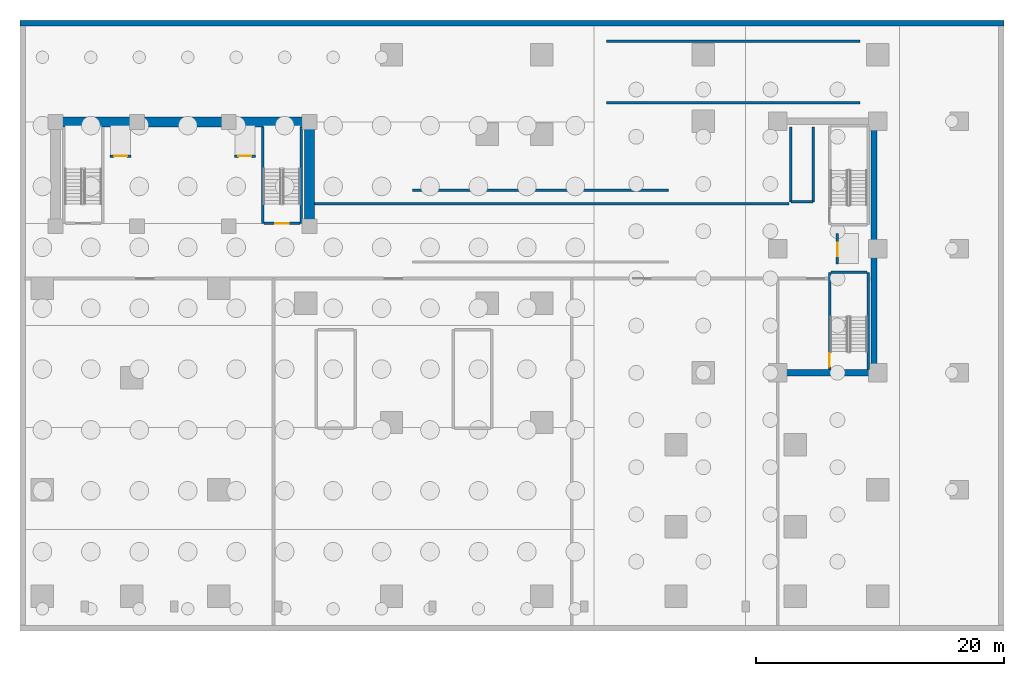
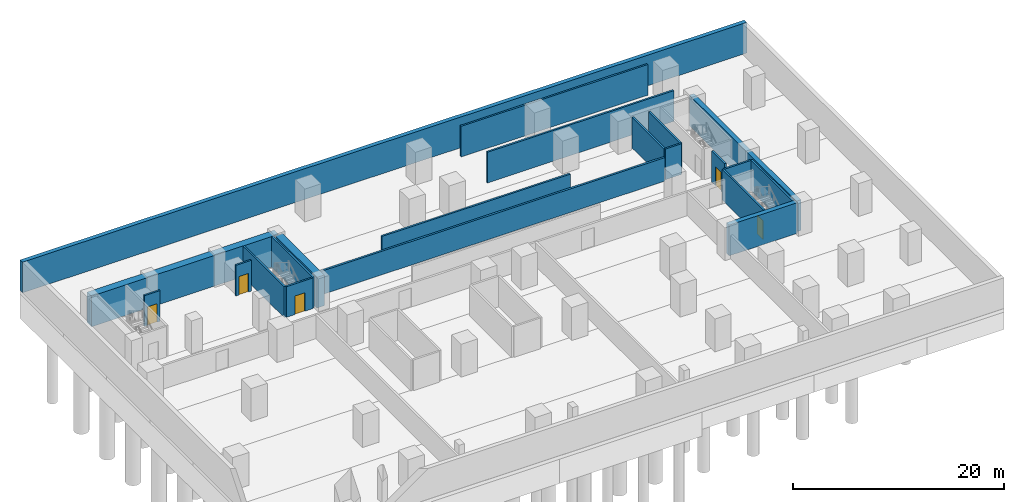
# One storey, part 3 of 7: 21 walls, 5 doors, 5 openings.
"""IFC4 building model written with IfcOpenShell, lengths in metres."""

from ifc_helpers import new_model, si_unit, direction, frame, frame_2d, origin, place, context, subcontext, project, spatial, rectangle, extrude, material, layer, layer_set, type_object, element, fill, save


model = new_model("IFC4")

# Units and contexts
model_context = context("Model", 3, precision=1e-05, world=origin(), true_north=direction((0.0, 1.0)))
body_context = subcontext(model_context, "Body", "Model", "MODEL_VIEW")
ifc_project = project(units=[si_unit("LENGTHUNIT", "METRE"), si_unit("AREAUNIT", "SQUARE_METRE"), si_unit("VOLUMEUNIT", "CUBIC_METRE"), si_unit("PLANEANGLEUNIT", "RADIAN"), si_unit("MASSUNIT", "GRAM", prefix="KILO")], contexts=[model_context])

# Site, building, storey
site_placement = place(None, origin())
site = spatial("IfcSite", under=ifc_project, at=site_placement, CompositionType="ELEMENT")
building_placement = place(site_placement, origin())
building = spatial("IfcBuilding", under=site, at=building_placement, Name="Kuzgunbayir Cultural Tower", CompositionType="ELEMENT")
storey_placement = place(building_placement, frame((0.0, 0.0, -11.39990234375)))
storey = spatial("IfcBuildingStorey", under=building, at=storey_placement, Name="B03", CompositionType="ELEMENT", Elevation=-11.39990234375)

# Walls
ifc_material_1 = material(Name="Concrete C60/75", Category="concrete")
ifc_layer_1 = layer(ifc_material_1, 0.800048828125)
ifc_layer_set_1 = layer_set([ifc_layer_1], Name="Concrete C60/75")
wall_type_1 = type_object("IfcWallType", Name="WAL-CORE-800", PredefinedType="SHEAR", material=ifc_layer_set_1)
wall_1_placement = place(storey_placement, frame((6.449951171875, 42.199951171875, 0.0), z_axis=(0.0, 0.0, 1.0), x_axis=(1.0, 0.0, 0.0)))
element("IfcWall", 1, at=wall_1_placement, inside=storey, type_object=wall_type_1, Name="B03 T1 Core North Shear Wall", PredefinedType="SHEAR", context=body_context, shape_type="SweptSolid", body=[
    extrude(rectangle(XDim=20.449951171875, YDim=0.800048828125, at=frame_2d((10.22509765625, 0.0))), origin(), (0.0, 0.0, 1.0), 3.5498046875),
])
wall_2_placement = place(storey_placement, frame((26.89990234375, 33.800048828125, 0.0), z_axis=(0.0, 0.0, 1.0), x_axis=(0.0, 1.0, 0.0)))
element("IfcWall", 2, at=wall_2_placement, inside=storey, type_object=wall_type_1, Name="B03 T1 Core East Shear Wall", PredefinedType="SHEAR", context=body_context, shape_type="SweptSolid", body=[
    extrude(rectangle(XDim=7.949951171875, YDim=0.800048828125, at=frame_2d((3.97509765625, 0.0))), origin(), (0.0, 0.0, 1.0), 3.5498046875),
])
ifc_material_2 = material(Name="Concrete C40/50", Category="concrete")
ifc_layer_2 = layer(ifc_material_2, 0.449951171875)
ifc_layer_set_2 = layer_set([ifc_layer_2], Name="Concrete C40/50")
wall_type_2 = type_object("IfcWallType", Name="WAL-EXT-BSM-450", PredefinedType="SOLIDWALL", material=ifc_layer_set_2)
wall_3_placement = place(storey_placement, frame((82.800048828125, 50.14990234375, 0.0), z_axis=(0.0, 0.0, 1.0), x_axis=(-1.0, 0.0, 0.0)))
element("IfcWall", 3, at=wall_3_placement, inside=storey, type_object=wall_type_2, Name="B03 North Retaining Wall", PredefinedType="SOLIDWALL", context=body_context, shape_type="SweptSolid", body=[
    extrude(rectangle(XDim=79.199951171875, YDim=0.449951171875, at=frame_2d((39.60009765625, 0.0))), origin(), (0.0, 0.0, 1.0), 3.5498046875),
])
ifc_layer_3 = layer(ifc_material_2, 0.219970703125)
ifc_layer_set_3 = layer_set([ifc_layer_3], Name="Concrete C40/50")
wall_type_3 = type_object("IfcWallType", Name="WAL-PART-PLANT-200", PredefinedType="PARTITIONING", material=ifc_layer_set_3)
wall_4_placement = place(storey_placement, frame((27.10009765625, 35.60009765625, 0.0), z_axis=(0.0, 0.0, 1.0), x_axis=(1.0, 0.0, 0.0)))
element("IfcWall", 4, at=wall_4_placement, inside=storey, type_object=wall_type_3, Name="B03 Substructure Plant Corridor Wall North", PredefinedType="PARTITIONING", context=body_context, shape_type="SweptSolid", body=[
    extrude(rectangle(XDim=38.39990234375, YDim=0.219970703125, at=frame_2d((19.199951171875, 0.0))), origin(), (0.0, 0.0, 1.0), 2.719970703125),
])

# Wall, opening, door
ifc_layer_4 = layer(ifc_material_2, 0.199951171875)
ifc_layer_set_4 = layer_set([ifc_layer_4], Name="Concrete C40/50")
wall_type_4 = type_object("IfcWallType", Name="WAL-SHAFT-200", PredefinedType="MOVABLE", material=ifc_layer_set_4)
wall_5_placement = place(storey_placement, frame((10.85009765625, 39.449951171875, 0.0), z_axis=(0.0, 0.0, 1.0), x_axis=(1.0, 0.0, 0.0)))
wall_5 = element("IfcWall", 5, at=wall_5_placement, inside=storey, type_object=wall_type_4, Name="B03 FFL-1 Lift Front Wall", PredefinedType="MOVABLE", context=body_context, shape_type="SweptSolid", body=[
    extrude(rectangle(XDim=1.699951171875, YDim=0.199951171875, at=frame_2d((0.85009765625, 0.0))), origin(), (0.0, 0.0, 1.0), 3.5498046875),
])
opening_1_placement = place(wall_5_placement, frame((0.320068359375, 0.0, 0.0)))
opening_1 = element("IfcOpeningElement", 6, at=opening_1_placement, cuts=wall_5, Name="Opening LD", PredefinedType="OPENING", context=body_context, shape_type="SweptSolid", body=[
    extrude(rectangle(XDim=1.050048828125, YDim=2.14990234375, at=frame_2d((0.52490234375, 1.074951171875))), frame((0.0, 0.10986328125, 0.0), z_axis=(0.0, -1.0, 0.0), x_axis=(1.0, 0.0, 0.0)), (0.0, 0.0, 1.0), 0.219970703125),
])
ifc_material_3 = material(Name="Brushed Stainless Steel", Category="steel")
door_type_1 = type_object("IfcDoorType", Name="DR-LIFT-LANDING", OperationType="SLIDING_TO_LEFT", PredefinedType="DOOR", material=ifc_material_3)
door_1_placement = place(opening_1_placement, origin())
door_1 = element("IfcDoor", 7, at=door_1_placement, inside=storey, type_object=door_type_1, Name="B03 Lift FFL-1 Landing Door", OperationType="SLIDING_TO_LEFT", OverallHeight=2.14990234375, OverallWidth=1.050048828125, PredefinedType="DOOR", context=body_context, shape_type="SweptSolid", body=[
    extrude(rectangle(XDim=1.050048828125, YDim=2.14990234375, at=frame_2d((0.52490234375, 1.074951171875))), frame((0.0, 0.02490234375, 0.0), z_axis=(0.0, -1.0, 0.0), x_axis=(1.0, 0.0, 0.0)), (0.0, 0.0, 1.0), 0.050048828125),
])
fill(opening_1, door_1)

wall_6_placement = place(storey_placement, frame((20.85009765625, 39.449951171875, 0.0), z_axis=(0.0, 0.0, 1.0), x_axis=(1.0, 0.0, 0.0)))
wall_6 = element("IfcWall", 8, at=wall_6_placement, inside=storey, type_object=wall_type_4, Name="B03 FFL-2 Lift Front Wall", PredefinedType="MOVABLE", context=body_context, shape_type="SweptSolid", body=[
    extrude(rectangle(XDim=1.699951171875, YDim=0.199951171875, at=frame_2d((0.85009765625, 0.0))), origin(), (0.0, 0.0, 1.0), 3.5498046875),
])
opening_2_placement = place(wall_6_placement, frame((0.320068359375, 0.0, 0.0)))
opening_2 = element("IfcOpeningElement", 9, at=opening_2_placement, cuts=wall_6, Name="Opening LD", PredefinedType="OPENING", context=body_context, shape_type="SweptSolid", body=[
    extrude(rectangle(XDim=1.050048828125, YDim=2.14990234375, at=frame_2d((0.52490234375, 1.074951171875))), frame((0.0, 0.10986328125, 0.0), z_axis=(0.0, -1.0, 0.0), x_axis=(1.0, 0.0, 0.0)), (0.0, 0.0, 1.0), 0.219970703125),
])
door_2_placement = place(opening_2_placement, origin())
door_2 = element("IfcDoor", 10, at=door_2_placement, inside=storey, type_object=door_type_1, Name="B03 Lift FFL-2 Landing Door", OperationType="SLIDING_TO_LEFT", OverallHeight=2.14990234375, OverallWidth=1.050048828125, PredefinedType="DOOR", context=body_context, shape_type="SweptSolid", body=[
    extrude(rectangle(XDim=1.050048828125, YDim=2.14990234375, at=frame_2d((0.52490234375, 1.074951171875))), frame((0.0, 0.02490234375, 0.0), z_axis=(0.0, -1.0, 0.0), x_axis=(1.0, 0.0, 0.0)), (0.0, 0.0, 1.0), 0.050048828125),
])
fill(opening_2, door_2)

# Walls
for number, where, z_axis, x_axis, name in (
    (11, (65.64990234375, 35.75, 0.0), (0.0, 0.0, 1.0), (0.0, 1.0, 0.0), "B03 Companion Lift Front Wall"),
    (12, (67.449951171875, 35.75, 0.0), (0.0, 0.0, 1.0), (0.0, 1.0, 0.0), "B03 Companion Lift Shaft Back Wall"),
):
    element("IfcWall", number, at=place(storey_placement, frame(where, z_axis=z_axis, x_axis=x_axis)), inside=storey, type_object=wall_type_4, Name=name, PredefinedType="MOVABLE", context=body_context, shape_type="SweptSolid", body=[
        extrude(rectangle(XDim=6.050048828125, YDim=0.199951171875, at=frame_2d((3.02490234375, 0.0))), origin(), (0.0, 0.0, 1.0), 3.5498046875),
    ])
wall_7_placement = place(storey_placement, frame((65.64990234375, 35.75, 0.0), z_axis=(0.0, 0.0, 1.0), x_axis=(1.0, 0.0, 0.0)))
element("IfcWall", 13, at=wall_7_placement, inside=storey, type_object=wall_type_4, Name="B03 Companion Lift Shaft South Wall", PredefinedType="MOVABLE", context=body_context, shape_type="SweptSolid", body=[
    extrude(rectangle(XDim=1.800048828125, YDim=0.199951171875, at=frame_2d((0.89990234375, 0.0))), origin(), (0.0, 0.0, 1.0), 3.5498046875),
])

# Wall, opening, door
wall_8_placement = place(storey_placement, frame((69.39990234375, 30.75, 0.0), z_axis=(0.0, 0.0, 1.0), x_axis=(0.0, 1.0, 0.0)))
wall_8 = element("IfcWall", 14, at=wall_8_placement, inside=storey, type_object=wall_type_4, Name="B03 FFL-3 Lift Front Wall", PredefinedType="MOVABLE", context=body_context, shape_type="SweptSolid", body=[
    extrude(rectangle(XDim=2.449951171875, YDim=0.199951171875, at=frame_2d((1.22509765625, 0.0))), origin(), (0.0, 0.0, 1.0), 3.5498046875),
])
opening_3_placement = place(wall_8_placement, frame((0.64990234375, 0.0, 0.0)))
opening_3 = element("IfcOpeningElement", 15, at=opening_3_placement, cuts=wall_8, Name="Opening LD", PredefinedType="OPENING", context=body_context, shape_type="SweptSolid", body=[
    extrude(rectangle(XDim=1.050048828125, YDim=2.14990234375, at=frame_2d((0.52490234375, 1.074951171875))), frame((0.0, 0.10986328125, 0.0), z_axis=(0.0, -1.0, 0.0), x_axis=(1.0, 0.0, 0.0)), (0.0, 0.0, 1.0), 0.219970703125),
])
door_3_placement = place(opening_3_placement, origin())
door_3 = element("IfcDoor", 16, at=door_3_placement, inside=storey, type_object=door_type_1, Name="B03 Lift FFL-3 Landing Door", OperationType="SLIDING_TO_LEFT", OverallHeight=2.14990234375, OverallWidth=1.050048828125, PredefinedType="DOOR", context=body_context, shape_type="SweptSolid", body=[
    extrude(rectangle(XDim=1.050048828125, YDim=2.14990234375, at=frame_2d((0.52490234375, 1.074951171875))), frame((0.0, 0.02490234375, 0.0), z_axis=(0.0, -1.0, 0.0), x_axis=(1.0, 0.0, 0.0)), (0.0, 0.0, 1.0), 0.050048828125),
])
fill(opening_3, door_3)

# Walls
ifc_layer_5 = layer(ifc_material_2, 0.199951171875)
ifc_layer_set_5 = layer_set([ifc_layer_5], Name="Concrete C40/50")
wall_type_5 = type_object("IfcWallType", Name="WAL-STAIR-RC-200", PredefinedType="SHEAR", material=ifc_layer_set_5)
for number, where, z_axis, x_axis, name in (
    (17, (23.1201171875, 34.02001953125, 0.0), (0.0, 0.0, 1.0), (0.0, 1.0, 0.0), "B03 Stair ST-2 West Structural Wall"),
    (18, (26.239990234375, 34.02001953125, 0.0), (0.0, 0.0, 1.0), (0.0, 1.0, 0.0), "B03 Stair ST-2 East Structural Wall"),
):
    element("IfcWall", number, at=place(storey_placement, frame(where, z_axis=z_axis, x_axis=x_axis)), inside=storey, type_object=wall_type_5, Name=name, PredefinedType="SHEAR", context=body_context, shape_type="SweptSolid", body=[
        extrude(rectangle(XDim=7.780029296875, YDim=0.199951171875, at=frame_2d((3.89013671875, 0.0))), origin(), (0.0, 0.0, 1.0), 3.5498046875),
    ])

# Wall, opening, door
wall_9_placement = place(storey_placement, frame((23.239990234375, 34.02001953125, 0.0), z_axis=(0.0, 0.0, 1.0), x_axis=(1.0, 0.0, 0.0)))
wall_9 = element("IfcWall", 19, at=wall_9_placement, inside=storey, type_object=wall_type_5, Name="B03 Stair ST-2 South Structural Wall", PredefinedType="SHEAR", context=body_context, shape_type="SweptSolid", body=[
    extrude(rectangle(XDim=2.880126953125, YDim=0.199951171875, at=frame_2d((1.43994140625, 0.0))), origin(), (0.0, 0.0, 1.0), 3.5498046875),
])
opening_4_placement = place(wall_9_placement, frame((0.89990234375, 0.0, 0.0)))
opening_4 = element("IfcOpeningElement", 20, at=opening_4_placement, cuts=wall_9, Name="Opening DR-STAIR-90", PredefinedType="OPENING", context=body_context, shape_type="SweptSolid", body=[
    extrude(rectangle(XDim=1.10009765625, YDim=2.14990234375, at=frame_2d((0.550048828125, 1.074951171875))), frame((0.0, 0.10986328125, 0.0), z_axis=(0.0, -1.0, 0.0), x_axis=(1.0, 0.0, 0.0)), (0.0, 0.0, 1.0), 0.219970703125),
])
ifc_material_4 = material(Name="Steel S355J2", Category="steel")
door_type_2 = type_object("IfcDoorType", Name="DR-STAIR-90", OperationType="NOTDEFINED", PredefinedType="DOOR", material=ifc_material_4)
door_4_placement = place(opening_4_placement, origin())
door_4 = element("IfcDoor", 21, at=door_4_placement, inside=storey, type_object=door_type_2, Name="B03 Stair ST-2 Fire Door", OperationType="SINGLE_SWING_LEFT", OverallHeight=2.14990234375, OverallWidth=1.10009765625, PredefinedType="DOOR", context=body_context, shape_type="SweptSolid", body=[
    extrude(rectangle(XDim=1.10009765625, YDim=2.14990234375, at=frame_2d((0.550048828125, 1.074951171875))), frame((0.0, 0.02490234375, 0.0), z_axis=(0.0, -1.0, 0.0), x_axis=(1.0, 0.0, 0.0)), (0.0, 0.0, 1.0), 0.050048828125),
])
fill(opening_4, door_4)

wall_10_placement = place(storey_placement, frame((68.760009765625, 22.260009765625, 0.0), z_axis=(0.0, 0.0, 1.0), x_axis=(0.0, 1.0, 0.0)))
wall_10 = element("IfcWall", 22, at=wall_10_placement, inside=storey, type_object=wall_type_5, Name="B03 Stair ST-3 West Structural Wall", PredefinedType="SHEAR", context=body_context, shape_type="SweptSolid", body=[
    extrude(rectangle(XDim=7.820068359375, YDim=0.199951171875, at=frame_2d((3.91015625, 0.0))), origin(), (0.0, 0.0, 1.0), 3.5498046875),
])
opening_5_placement = place(wall_10_placement, frame((0.219970703125, 0.0, 0.0)))
opening_5 = element("IfcOpeningElement", 23, at=opening_5_placement, cuts=wall_10, Name="Opening DR-STAIR-90", PredefinedType="OPENING", context=body_context, shape_type="SweptSolid", body=[
    extrude(rectangle(XDim=1.10009765625, YDim=2.14990234375, at=frame_2d((0.550048828125, 1.074951171875))), frame((0.0, 0.10986328125, 0.0), z_axis=(0.0, -1.0, 0.0), x_axis=(1.0, 0.0, 0.0)), (0.0, 0.0, 1.0), 0.219970703125),
])
door_5_placement = place(opening_5_placement, origin())
door_5 = element("IfcDoor", 24, at=door_5_placement, inside=storey, type_object=door_type_2, Name="B03 Stair ST-3 Fire Door", OperationType="SINGLE_SWING_LEFT", OverallHeight=2.14990234375, OverallWidth=1.10009765625, PredefinedType="DOOR", context=body_context, shape_type="SweptSolid", body=[
    extrude(rectangle(XDim=1.10009765625, YDim=2.14990234375, at=frame_2d((0.550048828125, 1.074951171875))), frame((0.0, 0.02490234375, 0.0), z_axis=(0.0, -1.0, 0.0), x_axis=(1.0, 0.0, 0.0)), (0.0, 0.0, 1.0), 0.050048828125),
])
fill(opening_5, door_5)

# Walls
wall_11_placement = place(storey_placement, frame((71.8798828125, 22.260009765625, 0.0), z_axis=(0.0, 0.0, 1.0), x_axis=(0.0, 1.0, 0.0)))
element("IfcWall", 25, at=wall_11_placement, inside=storey, type_object=wall_type_5, Name="B03 Stair ST-3 East Structural Wall", PredefinedType="SHEAR", context=body_context, shape_type="SweptSolid", body=[
    extrude(rectangle(XDim=7.820068359375, YDim=0.199951171875, at=frame_2d((3.91015625, 0.0))), origin(), (0.0, 0.0, 1.0), 3.5498046875),
])
wall_12_placement = place(storey_placement, frame((68.8798828125, 30.080078125, 0.0), z_axis=(0.0, 0.0, 1.0), x_axis=(1.0, 0.0, 0.0)))
element("IfcWall", 26, at=wall_12_placement, inside=storey, type_object=wall_type_5, Name="B03 Stair ST-3 North Structural Wall", PredefinedType="SHEAR", context=body_context, shape_type="SweptSolid", body=[
    extrude(rectangle(XDim=2.880126953125, YDim=0.199951171875, at=frame_2d((1.43994140625, 0.0))), origin(), (0.0, 0.0, 1.0), 3.5498046875),
])
wall_13_placement = place(storey_placement, frame((35.199951171875, 36.679931640625, 0.0), z_axis=(0.0, 0.0, 1.0), x_axis=(1.0, 0.0, 0.0)))
element("IfcWall", 27, at=wall_13_placement, inside=storey, type_object=wall_type_5, Name="B03 Vehicle Ramp VR-2 Support Wall N", PredefinedType="SHEAR", context=body_context, shape_type="SweptSolid", body=[
    extrude(rectangle(XDim=20.60009765625, YDim=0.199951171875, at=frame_2d((10.300048828125, 0.0))), origin(), (0.0, 0.0, 1.0), 3.5498046875),
])
for number, where, z_axis, x_axis, name in (
    (28, (50.800048828125, 43.719970703125, 0.0), (0.0, 0.0, 1.0), (1.0, 0.0, 0.0), "B03 Vehicle Ramp VR-1 Support Wall S"),
    (29, (50.800048828125, 48.679931640625, 0.0), (0.0, 0.0, 1.0), (1.0, 0.0, 0.0), "B03 Vehicle Ramp VR-1 Support Wall N"),
):
    element("IfcWall", number, at=place(storey_placement, frame(where, z_axis=z_axis, x_axis=x_axis)), inside=storey, type_object=wall_type_5, Name=name, PredefinedType="SHEAR", context=body_context, shape_type="SweptSolid", body=[
        extrude(rectangle(XDim=20.39990234375, YDim=0.199951171875, at=frame_2d((10.199951171875, 0.0))), origin(), (0.0, 0.0, 1.0), 3.5498046875),
    ])
ifc_layer_6 = layer(ifc_material_1, 0.5)
ifc_layer_set_6 = layer_set([ifc_layer_6], Name="Concrete C60/75")
wall_type_6 = type_object("IfcWallType", Name="WAL-T2-CORE-500", PredefinedType="SHEAR", material=ifc_layer_set_6)
wall_14_placement = place(storey_placement, frame((72.35009765625, 22.0, 0.0), z_axis=(0.0, 0.0, 1.0), x_axis=(0.0, 1.0, 0.0)))
element("IfcWall", 30, at=wall_14_placement, inside=storey, type_object=wall_type_6, Name="B03 Companion Core East Shear Wall", PredefinedType="SHEAR", context=body_context, shape_type="SweptSolid", body=[
    extrude(rectangle(XDim=20.25, YDim=0.5, at=frame_2d((10.125, 0.0))), origin(), (0.0, 0.0, 1.0), 3.5498046875),
])
wall_15_placement = place(storey_placement, frame((64.60009765625, 22.0, 0.0), z_axis=(0.0, 0.0, 1.0), x_axis=(1.0, 0.0, 0.0)))
element("IfcWall", 31, at=wall_15_placement, inside=storey, type_object=wall_type_6, Name="B03 Companion Core South Shear Wall", PredefinedType="SHEAR", context=body_context, shape_type="SweptSolid", body=[
    extrude(rectangle(XDim=7.5, YDim=0.5, at=frame_2d((3.75, 0.0))), origin(), (0.0, 0.0, 1.0), 3.5498046875),
])

save(model, "model.ifc")
